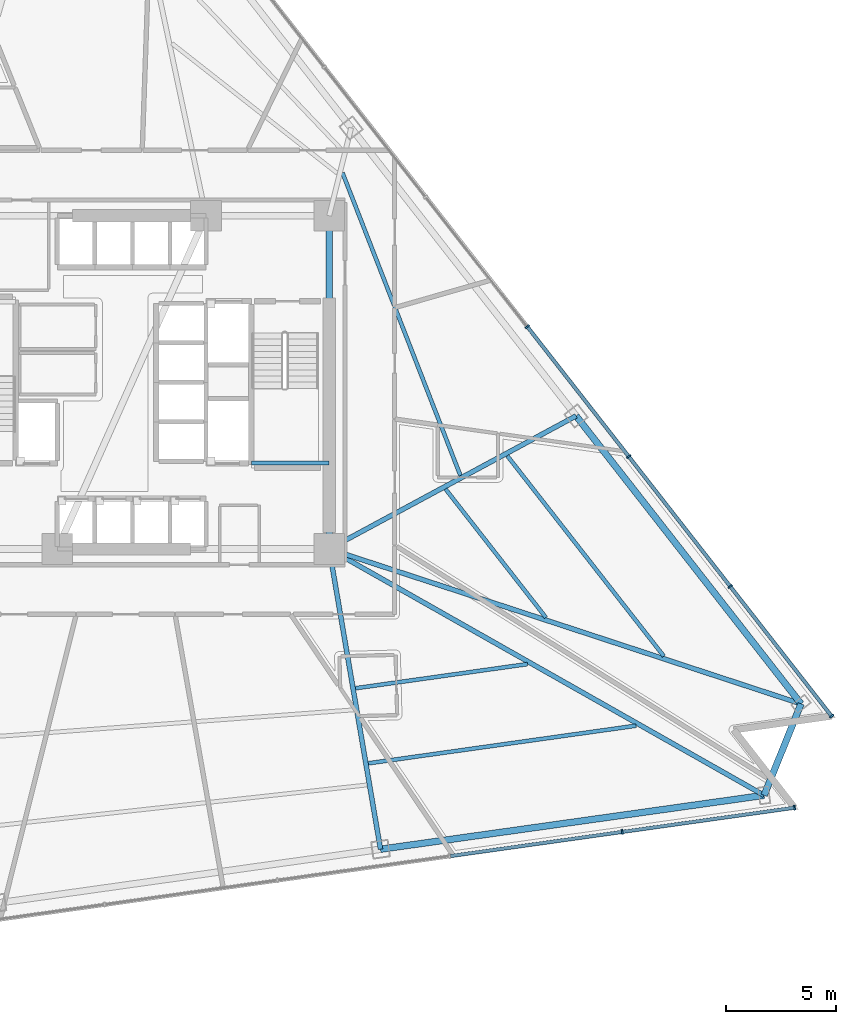
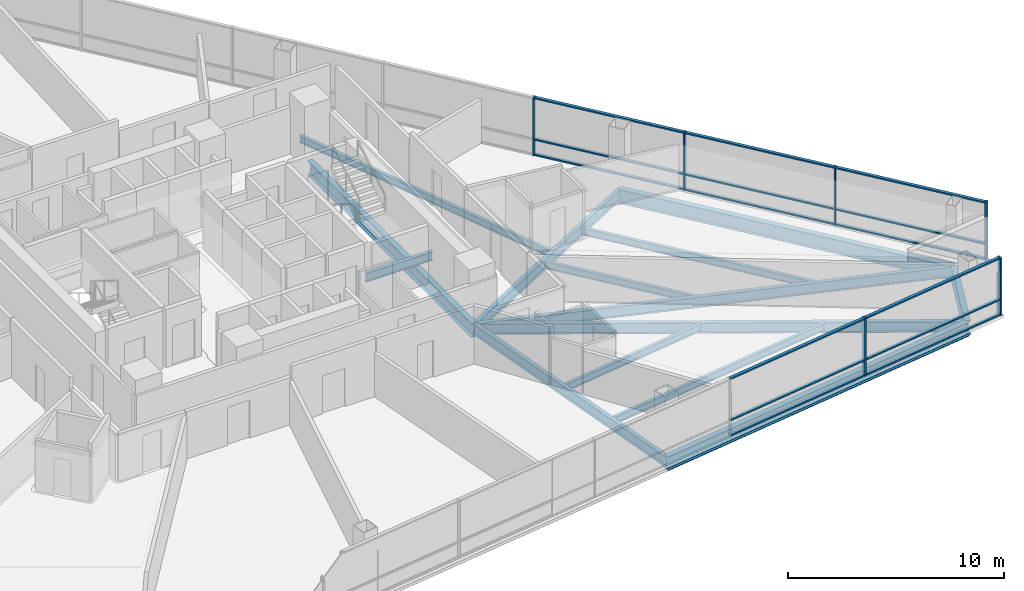
# One storey, part 4 of 15: 21 members, 14 beams, 2 elements without a shape of their own.
"""IFC4 building model written with IfcOpenShell, lengths in metres."""

from ifc_helpers import new_model, si_unit, direction, frame, origin, origin_2d, place, context, subcontext, project, spatial, rectangle, i_section, extrude, material, layer, layer_set, material_profile, profile_set, type_object, element, aggregate, save


model = new_model("IFC4")

# Units and contexts
model_context = context("Model", 3, precision=1e-05, world=origin(), true_north=direction((0.0, 1.0)))
body_context = subcontext(model_context, "Body", "Model", "MODEL_VIEW")
ifc_project = project(units=[si_unit("LENGTHUNIT", "METRE"), si_unit("AREAUNIT", "SQUARE_METRE"), si_unit("VOLUMEUNIT", "CUBIC_METRE"), si_unit("PLANEANGLEUNIT", "RADIAN"), si_unit("MASSUNIT", "GRAM", prefix="KILO")], contexts=[model_context])

# Site, building, storey
site_placement = place(None, origin())
site = spatial("IfcSite", under=ifc_project, at=site_placement, CompositionType="ELEMENT")
building_placement = place(site_placement, origin())
building = spatial("IfcBuilding", under=site, at=building_placement, Name="Tharavind Bronze Gate", CompositionType="ELEMENT")
storey_placement = place(building_placement, frame((0.0, 0.0, 67.300048828125)))
storey = spatial("IfcBuildingStorey", under=building, at=storey_placement, Name="L16", CompositionType="ELEMENT", Elevation=67.300048828125)

# Curtain wall, members
ifc_material_1 = material(Name="Anodised Bronze Aluminium", Category="aluminium")
ifc_layer = layer(ifc_material_1, 0.219970703125)
ifc_layer_set = layer_set([ifc_layer], Name="Anodised Bronze Aluminium")
curtain_wall_type = type_object("IfcCurtainWallType", Name="UNITISED CURTAIN WALL HOTEL", PredefinedType="USERDEFINED", material=ifc_layer_set)
curtain_wall_1_placement = place(storey_placement, origin())
curtain_wall_1 = element("IfcCurtainWall", 1, at=curtain_wall_1_placement, inside=storey, type_object=curtain_wall_type, Name="L16 unitised curtain wall hotel CW-L16-S2", ObjectType="UNITISED CURTAIN WALL", PredefinedType="USERDEFINED")
member_type_1 = type_object("IfcMemberType", Name="CURTAIN WALL MULLION 80X220", PredefinedType="MULLION", material=ifc_material_1)
member_1_placement = place(storey_placement, frame((22.261474609375, -20.504638671875, 0.0), z_axis=(0.0, 0.0, 1.0), x_axis=(0.990268068742, 0.13917310096, 0.0)))
member_1 = element("IfcMember", 2, at=member_1_placement, type_object=member_type_1, Name="CW-L16-S2 mullion 7", PredefinedType="MULLION", context=body_context, shape_type="SweptSolid", body=[
    extrude(rectangle(XDim=0.080078125, YDim=0.219970703125, at=origin_2d()), origin(), (0.0, 0.0, 1.0), 3.27490234375),
])
member_2_placement = place(storey_placement, frame((30.127685546875, -19.399169921875, 0.0), z_axis=(0.0, 0.0, 1.0), x_axis=(0.990268068742, 0.13917310096, 0.0)))
member_2 = element("IfcMember", 3, at=member_2_placement, type_object=member_type_1, Name="CW-L16-S2 mullion 8", PredefinedType="MULLION", context=body_context, shape_type="SweptSolid", body=[
    extrude(rectangle(XDim=0.080078125, YDim=0.219970703125, at=origin_2d()), origin(), (0.0, 0.0, 1.0), 3.27490234375),
])

curtain_wall_2_placement = place(storey_placement, origin())
curtain_wall_2 = element("IfcCurtainWall", 4, at=curtain_wall_2_placement, inside=storey, type_object=curtain_wall_type, Name="L16 unitised curtain wall hotel CW-L16-S3", ObjectType="UNITISED CURTAIN WALL", PredefinedType="USERDEFINED")
member_3_placement = place(storey_placement, frame((31.8134765625, -15.226806640625, 0.0), z_axis=(0.0, 0.0, 1.0), x_axis=(-0.615661475326, 0.788010753607, 0.0)))
member_3 = element("IfcMember", 5, at=member_3_placement, type_object=member_type_1, Name="CW-L16-S3 mullion 1", PredefinedType="MULLION", context=body_context, shape_type="SweptSolid", body=[
    extrude(rectangle(XDim=0.080078125, YDim=0.219970703125, at=origin_2d()), origin(), (0.0, 0.0, 1.0), 3.27490234375),
])
member_4_placement = place(storey_placement, frame((27.186767578125, -9.3046875, 0.0), z_axis=(0.0, 0.0, 1.0), x_axis=(-0.615661475326, 0.788010753607, 0.0)))
member_4 = element("IfcMember", 6, at=member_4_placement, type_object=member_type_1, Name="CW-L16-S3 mullion 2", PredefinedType="MULLION", context=body_context, shape_type="SweptSolid", body=[
    extrude(rectangle(XDim=0.080078125, YDim=0.219970703125, at=origin_2d()), origin(), (0.0, 0.0, 1.0), 3.27490234375),
])
member_5_placement = place(storey_placement, frame((22.56005859375, -3.3828125, 0.0), z_axis=(0.0, 0.0, 1.0), x_axis=(-0.615661475326, 0.788010753607, 0.0)))
member_5 = element("IfcMember", 7, at=member_5_placement, type_object=member_type_1, Name="CW-L16-S3 mullion 3", PredefinedType="MULLION", context=body_context, shape_type="SweptSolid", body=[
    extrude(rectangle(XDim=0.080078125, YDim=0.219970703125, at=origin_2d()), origin(), (0.0, 0.0, 1.0), 3.27490234375),
])
member_6_placement = place(storey_placement, frame((17.933349609375, 2.5390625, 0.0), z_axis=(0.0, 0.0, 1.0), x_axis=(-0.615661475326, 0.788010753607, 0.0)))
member_6 = element("IfcMember", 8, at=member_6_placement, type_object=member_type_1, Name="CW-L16-S3 mullion 4", PredefinedType="MULLION", context=body_context, shape_type="SweptSolid", body=[
    extrude(rectangle(XDim=0.080078125, YDim=0.219970703125, at=origin_2d()), origin(), (0.0, 0.0, 1.0), 3.27490234375),
])

# Member
member_type_2 = type_object("IfcMemberType", Name="CURTAIN WALL TRANSOM 80X160", PredefinedType="USERDEFINED", material=ifc_material_1)
member_7_placement = place(storey_placement, frame((18.328369140625, -21.057373046875, 0.0), z_axis=(0.0, 0.0, 1.0), x_axis=(0.990268068742, 0.13917310096, 0.0)))
member_7 = element("IfcMember", 9, at=member_7_placement, type_object=member_type_2, Name="CW-L16-S2 transom TB6", ObjectType="TRANSOM", PredefinedType="USERDEFINED", context=body_context, shape_type="SweptSolid", body=[
    extrude(rectangle(XDim=7.87548828125, YDim=0.159912109375, at=origin_2d()), origin(), (0.0, 0.0, 1.0), 0.080078125),
])

member_8_placement = place(storey_placement, frame((18.328369140625, -21.057373046875, 0.85986328125), z_axis=(0.0, 0.0, 1.0), x_axis=(0.990268068742, 0.13917310096, 0.0)))
member_8 = element("IfcMember", 10, at=member_8_placement, type_object=member_type_2, Name="CW-L16-S2 transom TS6", ObjectType="TRANSOM", PredefinedType="USERDEFINED", context=body_context, shape_type="SweptSolid", body=[
    extrude(rectangle(XDim=7.87548828125, YDim=0.159912109375, at=origin_2d()), origin(), (0.0, 0.0, 1.0), 0.080078125),
])

member_9_placement = place(storey_placement, frame((18.328369140625, -21.057373046875, 3.19482421875), z_axis=(0.0, 0.0, 1.0), x_axis=(0.990268068742, 0.13917310096, 0.0)))
member_9 = element("IfcMember", 11, at=member_9_placement, type_object=member_type_2, Name="CW-L16-S2 transom TT6", ObjectType="TRANSOM", PredefinedType="USERDEFINED", context=body_context, shape_type="SweptSolid", body=[
    extrude(rectangle(XDim=7.87548828125, YDim=0.159912109375, at=origin_2d()), origin(), (0.0, 0.0, 1.0), 0.080078125),
])

member_10_placement = place(storey_placement, frame((26.194580078125, -19.951904296875, 0.0), z_axis=(0.0, 0.0, 1.0), x_axis=(0.990268068742, 0.13917310096, 0.0)))
member_10 = element("IfcMember", 12, at=member_10_placement, type_object=member_type_2, Name="CW-L16-S2 transom TB7", ObjectType="TRANSOM", PredefinedType="USERDEFINED", context=body_context, shape_type="SweptSolid", body=[
    extrude(rectangle(XDim=7.87548828125, YDim=0.159912109375, at=origin_2d()), origin(), (0.0, 0.0, 1.0), 0.080078125),
])

member_11_placement = place(storey_placement, frame((26.194580078125, -19.951904296875, 0.85986328125), z_axis=(0.0, 0.0, 1.0), x_axis=(0.990268068742, 0.13917310096, 0.0)))
member_11 = element("IfcMember", 13, at=member_11_placement, type_object=member_type_2, Name="CW-L16-S2 transom TS7", ObjectType="TRANSOM", PredefinedType="USERDEFINED", context=body_context, shape_type="SweptSolid", body=[
    extrude(rectangle(XDim=7.87548828125, YDim=0.159912109375, at=origin_2d()), origin(), (0.0, 0.0, 1.0), 0.080078125),
])

member_12_placement = place(storey_placement, frame((26.194580078125, -19.951904296875, 3.19482421875), z_axis=(0.0, 0.0, 1.0), x_axis=(0.990268068742, 0.13917310096, 0.0)))
member_12 = element("IfcMember", 14, at=member_12_placement, type_object=member_type_2, Name="CW-L16-S2 transom TT7", ObjectType="TRANSOM", PredefinedType="USERDEFINED", context=body_context, shape_type="SweptSolid", body=[
    extrude(rectangle(XDim=7.87548828125, YDim=0.159912109375, at=origin_2d()), origin(), (0.0, 0.0, 1.0), 0.080078125),
])

aggregate(curtain_wall_1, [member_1, member_2, member_7, member_8, member_9, member_10, member_11, member_12])

member_13_placement = place(storey_placement, frame((29.5, -12.265869140625, 0.0), z_axis=(0.0, 0.0, 1.0), x_axis=(-0.615661475326, 0.788010753607, 0.0)))
member_13 = element("IfcMember", 15, at=member_13_placement, type_object=member_type_2, Name="CW-L16-S3 transom TB1", ObjectType="TRANSOM", PredefinedType="USERDEFINED", context=body_context, shape_type="SweptSolid", body=[
    extrude(rectangle(XDim=7.447021484375, YDim=0.159912109375, at=origin_2d()), origin(), (0.0, 0.0, 1.0), 0.080078125),
])

member_14_placement = place(storey_placement, frame((29.5, -12.265869140625, 0.85986328125), z_axis=(0.0, 0.0, 1.0), x_axis=(-0.615661475326, 0.788010753607, 0.0)))
member_14 = element("IfcMember", 16, at=member_14_placement, type_object=member_type_2, Name="CW-L16-S3 transom TS1", ObjectType="TRANSOM", PredefinedType="USERDEFINED", context=body_context, shape_type="SweptSolid", body=[
    extrude(rectangle(XDim=7.447021484375, YDim=0.159912109375, at=origin_2d()), origin(), (0.0, 0.0, 1.0), 0.080078125),
])

member_15_placement = place(storey_placement, frame((29.5, -12.265869140625, 3.19482421875), z_axis=(0.0, 0.0, 1.0), x_axis=(-0.615661475326, 0.788010753607, 0.0)))
member_15 = element("IfcMember", 17, at=member_15_placement, type_object=member_type_2, Name="CW-L16-S3 transom TT1", ObjectType="TRANSOM", PredefinedType="USERDEFINED", context=body_context, shape_type="SweptSolid", body=[
    extrude(rectangle(XDim=7.447021484375, YDim=0.159912109375, at=origin_2d()), origin(), (0.0, 0.0, 1.0), 0.080078125),
])

member_16_placement = place(storey_placement, frame((24.873291015625, -6.343994140625, 0.0), z_axis=(0.0, 0.0, 1.0), x_axis=(-0.615661475326, 0.788010753607, 0.0)))
member_16 = element("IfcMember", 18, at=member_16_placement, type_object=member_type_2, Name="CW-L16-S3 transom TB2", ObjectType="TRANSOM", PredefinedType="USERDEFINED", context=body_context, shape_type="SweptSolid", body=[
    extrude(rectangle(XDim=7.447021484375, YDim=0.159912109375, at=origin_2d()), origin(), (0.0, 0.0, 1.0), 0.080078125),
])

member_17_placement = place(storey_placement, frame((24.873291015625, -6.343994140625, 0.85986328125), z_axis=(0.0, 0.0, 1.0), x_axis=(-0.615661475326, 0.788010753607, 0.0)))
member_17 = element("IfcMember", 19, at=member_17_placement, type_object=member_type_2, Name="CW-L16-S3 transom TS2", ObjectType="TRANSOM", PredefinedType="USERDEFINED", context=body_context, shape_type="SweptSolid", body=[
    extrude(rectangle(XDim=7.447021484375, YDim=0.159912109375, at=origin_2d()), origin(), (0.0, 0.0, 1.0), 0.080078125),
])

member_18_placement = place(storey_placement, frame((24.873291015625, -6.343994140625, 3.19482421875), z_axis=(0.0, 0.0, 1.0), x_axis=(-0.615661475326, 0.788010753607, 0.0)))
member_18 = element("IfcMember", 20, at=member_18_placement, type_object=member_type_2, Name="CW-L16-S3 transom TT2", ObjectType="TRANSOM", PredefinedType="USERDEFINED", context=body_context, shape_type="SweptSolid", body=[
    extrude(rectangle(XDim=7.447021484375, YDim=0.159912109375, at=origin_2d()), origin(), (0.0, 0.0, 1.0), 0.080078125),
])

member_19_placement = place(storey_placement, frame((20.24658203125, -0.421875, 0.0), z_axis=(0.0, 0.0, 1.0), x_axis=(-0.615661475326, 0.788010753607, 0.0)))
member_19 = element("IfcMember", 21, at=member_19_placement, type_object=member_type_2, Name="CW-L16-S3 transom TB3", ObjectType="TRANSOM", PredefinedType="USERDEFINED", context=body_context, shape_type="SweptSolid", body=[
    extrude(rectangle(XDim=7.447021484375, YDim=0.159912109375, at=origin_2d()), origin(), (0.0, 0.0, 1.0), 0.080078125),
])

member_20_placement = place(storey_placement, frame((20.24658203125, -0.421875, 0.85986328125), z_axis=(0.0, 0.0, 1.0), x_axis=(-0.615661475326, 0.788010753607, 0.0)))
member_20 = element("IfcMember", 22, at=member_20_placement, type_object=member_type_2, Name="CW-L16-S3 transom TS3", ObjectType="TRANSOM", PredefinedType="USERDEFINED", context=body_context, shape_type="SweptSolid", body=[
    extrude(rectangle(XDim=7.447021484375, YDim=0.159912109375, at=origin_2d()), origin(), (0.0, 0.0, 1.0), 0.080078125),
])

member_21_placement = place(storey_placement, frame((20.24658203125, -0.421875, 3.19482421875), z_axis=(0.0, 0.0, 1.0), x_axis=(-0.615661475326, 0.788010753607, 0.0)))
member_21 = element("IfcMember", 23, at=member_21_placement, type_object=member_type_2, Name="CW-L16-S3 transom TT3", ObjectType="TRANSOM", PredefinedType="USERDEFINED", context=body_context, shape_type="SweptSolid", body=[
    extrude(rectangle(XDim=7.447021484375, YDim=0.159912109375, at=origin_2d()), origin(), (0.0, 0.0, 1.0), 0.080078125),
])

aggregate(curtain_wall_2, [member_3, member_4, member_5, member_6, member_13, member_14, member_15, member_16, member_17, member_18, member_19, member_20, member_21])

# Beams
ifc_material_2 = material(Name="Steel S355", Category="steel")
ifc_material_profile_1 = material_profile(ifc_material_2, i_section(OverallWidth=0.199951171875, OverallDepth=0.5, WebThickness=0.01025390625, FlangeThickness=0.01611328125, at=origin_2d()), Name="IPE500")
ifc_profile_set_1 = profile_set([ifc_material_profile_1], Name="Steel S355")
beam_type_1 = type_object("IfcBeamType", Name="PRIMARY GIRDER IPE500", PredefinedType="USERDEFINED", material=ifc_profile_set_1)
beam_1_placement = place(storey_placement, frame((5.35009765625, -3.679931640625, 1.27490234375), z_axis=(1.0, 0.0, 0.0), x_axis=(0.0, 1.0, 0.0)))
element("IfcBeam", 24, at=beam_1_placement, inside=storey, type_object=beam_type_1, Name="L16 primary girder ipe500 BM-LD-ST2-L16-1", ObjectType="GIRDER", PredefinedType="USERDEFINED", context=body_context, shape_type="SweptSolid", body=[
    extrude(i_section(OverallWidth=0.199951171875, OverallDepth=0.5, WebThickness=0.01025390625, FlangeThickness=0.01611328125, at=origin_2d()), origin(), (0.0, 0.0, 1.0), 3.5498046875),
])
ifc_material_profile_2 = material_profile(ifc_material_2, i_section(OverallWidth=0.219970703125, OverallDepth=0.60009765625, WebThickness=0.011962890625, FlangeThickness=0.01904296875, at=origin_2d()), Name="IPE600")
ifc_profile_set_2 = profile_set([ifc_material_profile_2], Name="Steel S355")
beam_type_2 = type_object("IfcBeamType", Name="PRIMARY GIRDER IPE600", PredefinedType="USERDEFINED", material=ifc_profile_set_2)
beam_2_placement = place(storey_placement, frame((11.23974609375, -21.29638671875, -0.47509765625), z_axis=(-0.168398067653, 0.985719072967, 0.0), x_axis=(-0.985719072967, -0.168398067653, 0.0)))
element("IfcBeam", 25, at=beam_2_placement, inside=storey, type_object=beam_type_2, Name="L16 primary girder ipe600 BM-L16-RAD07", ObjectType="GIRDER", PredefinedType="USERDEFINED", context=body_context, shape_type="SweptSolid", body=[
    extrude(i_section(OverallWidth=0.219970703125, OverallDepth=0.60009765625, WebThickness=0.011962890625, FlangeThickness=0.01904296875, at=origin_2d()), origin(), (0.0, 0.0, 1.0), 13.894775390625),
])
beam_3_placement = place(storey_placement, frame((28.737060546875, -18.837158203125, -0.47509765625), z_axis=(-0.870097351351, 0.492879903396, 0.0), x_axis=(-0.492879903396, -0.870097351351, 0.0)))
element("IfcBeam", 26, at=beam_3_placement, inside=storey, type_object=beam_type_2, Name="L16 primary girder ipe600 BM-L16-RAD08", ObjectType="GIRDER", PredefinedType="USERDEFINED", context=body_context, shape_type="SweptSolid", body=[
    extrude(i_section(OverallWidth=0.219970703125, OverallDepth=0.60009765625, WebThickness=0.011962890625, FlangeThickness=0.01904296875, at=origin_2d()), origin(), (0.0, 0.0, 1.0), 22.798828125),
])
beam_4_placement = place(storey_placement, frame((30.422607421875, -14.664794921875, -0.47509765625), z_axis=(-0.950123985447, 0.311872429494, 0.0), x_axis=(-0.311872429494, -0.950123985447, 0.0)))
element("IfcBeam", 27, at=beam_4_placement, inside=storey, type_object=beam_type_2, Name="L16 primary girder ipe600 BM-L16-RAD09", ObjectType="GIRDER", PredefinedType="USERDEFINED", context=body_context, shape_type="SweptSolid", body=[
    extrude(i_section(OverallWidth=0.219970703125, OverallDepth=0.60009765625, WebThickness=0.011962890625, FlangeThickness=0.01904296875, at=origin_2d()), origin(), (0.0, 0.0, 1.0), 22.652587890625),
])
beam_5_placement = place(storey_placement, frame((20.16015625, -1.529296875, -0.47509765625), z_axis=(-0.880223404357, -0.474559541493, 0.0), x_axis=(0.474559541493, -0.880223404357, 0.0)))
element("IfcBeam", 28, at=beam_5_placement, inside=storey, type_object=beam_type_2, Name="L16 primary girder ipe600 BM-L16-RAD10", ObjectType="GIRDER", PredefinedType="USERDEFINED", context=body_context, shape_type="SweptSolid", body=[
    extrude(i_section(OverallWidth=0.219970703125, OverallDepth=0.60009765625, WebThickness=0.011962890625, FlangeThickness=0.01904296875, at=origin_2d()), origin(), (0.0, 0.0, 1.0), 12.79248046875),
])
ifc_material_profile_3 = material_profile(ifc_material_2, i_section(OverallWidth=0.300048828125, OverallDepth=0.800048828125, WebThickness=0.017578125, FlangeThickness=0.032958984375, at=origin_2d()), Name="HE800B")
ifc_profile_set_3 = profile_set([ifc_material_profile_3], Name="Steel S355")
beam_type_3 = type_object("IfcBeamType", Name="RING GIRDER HE800B", PredefinedType="USERDEFINED", material=ifc_profile_set_3)
beam_6_placement = place(storey_placement, frame((8.89990234375, -7.60009765625, -0.574951171875), z_axis=(0.0, 1.0, 0.0), x_axis=(-1.0, 0.0, 0.0)))
element("IfcBeam", 29, at=beam_6_placement, inside=storey, type_object=beam_type_3, Name="L16 ring girder he800b BM-L16-CR3", ObjectType="GIRDER", PredefinedType="USERDEFINED", context=body_context, shape_type="SweptSolid", body=[
    extrude(i_section(OverallWidth=0.300048828125, OverallDepth=0.800048828125, WebThickness=0.017578125, FlangeThickness=0.032958984375, at=origin_2d()), origin(), (0.0, 0.0, 1.0), 15.2001953125),
])
beam_7_placement = place(storey_placement, frame((11.23974609375, -21.29638671875, -0.574951171875), z_axis=(0.990266966294, 0.13918094506, 0.0), x_axis=(-0.13918094506, 0.990266966294, 0.0)))
element("IfcBeam", 30, at=beam_7_placement, inside=storey, type_object=beam_type_3, Name="L16 ring girder he800b BM-L16-PRG07", ObjectType="GIRDER", PredefinedType="USERDEFINED", context=body_context, shape_type="SweptSolid", body=[
    extrude(i_section(OverallWidth=0.300048828125, OverallDepth=0.800048828125, WebThickness=0.017578125, FlangeThickness=0.032958984375, at=origin_2d()), origin(), (0.0, 0.0, 1.0), 17.669189453125),
])
beam_8_placement = place(storey_placement, frame((28.737060546875, -18.837158203125, -0.574951171875), z_axis=(0.374568898324, 0.927199083481, 0.0), x_axis=(-0.927199083481, 0.374568898324, 0.0)))
element("IfcBeam", 31, at=beam_8_placement, inside=storey, type_object=beam_type_3, Name="L16 ring girder he800b BM-L16-PRG08", ObjectType="GIRDER", PredefinedType="USERDEFINED", context=body_context, shape_type="SweptSolid", body=[
    extrude(i_section(OverallWidth=0.300048828125, OverallDepth=0.800048828125, WebThickness=0.017578125, FlangeThickness=0.032958984375, at=origin_2d()), origin(), (0.0, 0.0, 1.0), 4.5),
])
beam_9_placement = place(storey_placement, frame((30.422607421875, -14.664794921875, -0.574951171875), z_axis=(-0.61565683186, 0.788014381458, 0.0), x_axis=(-0.788014381458, -0.61565683186, 0.0)))
element("IfcBeam", 32, at=beam_9_placement, inside=storey, type_object=beam_type_3, Name="L16 ring girder he800b BM-L16-PRG09", ObjectType="GIRDER", PredefinedType="USERDEFINED", context=body_context, shape_type="SweptSolid", body=[
    extrude(i_section(OverallWidth=0.300048828125, OverallDepth=0.800048828125, WebThickness=0.017578125, FlangeThickness=0.032958984375, at=origin_2d()), origin(), (0.0, 0.0, 1.0), 16.669189453125),
])
ifc_material_profile_4 = material_profile(ifc_material_2, i_section(OverallWidth=0.179931640625, OverallDepth=0.39990234375, WebThickness=0.008544921875, FlangeThickness=0.013427734375, at=origin_2d()), Name="IPE400")
ifc_profile_set_4 = profile_set([ifc_material_profile_4], Name="Steel S355")
beam_type_4 = type_object("IfcBeamType", Name="SECONDARY FLOOR JOIST IPE400", PredefinedType="JOIST", material=ifc_profile_set_4)
beam_10_placement = place(storey_placement, frame((10.100830078125, -13.952880859375, -0.375), z_axis=(0.990270061331, 0.13915892221, 0.0), x_axis=(-0.13915892221, 0.990270061331, 0.0)))
element("IfcBeam", 33, at=beam_10_placement, inside=storey, type_object=beam_type_4, Name="L16 secondary floor joist ipe400 BM-L16-JSTA07", PredefinedType="JOIST", context=body_context, shape_type="SweptSolid", body=[
    extrude(i_section(OverallWidth=0.179931640625, OverallDepth=0.39990234375, WebThickness=0.008544921875, FlangeThickness=0.013427734375, at=origin_2d()), origin(), (0.0, 0.0, 1.0), 7.917724609375),
])
beam_11_placement = place(storey_placement, frame((10.685791015625, -17.376953125, -0.375), z_axis=(0.990269539088, 0.139162638498, 0.0), x_axis=(-0.139162638498, 0.990269539088, 0.0)))
element("IfcBeam", 34, at=beam_11_placement, inside=storey, type_object=beam_type_4, Name="L16 secondary floor joist ipe400 BM-L16-JSTB07", PredefinedType="JOIST", context=body_context, shape_type="SweptSolid", body=[
    extrude(i_section(OverallWidth=0.179931640625, OverallDepth=0.39990234375, WebThickness=0.008544921875, FlangeThickness=0.013427734375, at=origin_2d()), origin(), (0.0, 0.0, 1.0), 12.3349609375),
])
beam_12_placement = place(storey_placement, frame((18.783935546875, -10.726318359375, -0.375), z_axis=(-0.615658063003, 0.788013419593, 0.0), x_axis=(-0.788013419593, -0.615658063003, 0.0)))
element("IfcBeam", 35, at=beam_12_placement, inside=storey, type_object=beam_type_4, Name="L16 secondary floor joist ipe400 BM-L16-JSTA09", PredefinedType="JOIST", context=body_context, shape_type="SweptSolid", body=[
    extrude(i_section(OverallWidth=0.179931640625, OverallDepth=0.39990234375, WebThickness=0.008544921875, FlangeThickness=0.013427734375, at=origin_2d()), origin(), (0.0, 0.0, 1.0), 7.433837890625),
])
beam_13_placement = place(storey_placement, frame((24.16455078125, -12.492431640625, -0.375), z_axis=(-0.61565833532, 0.788013206838, 0.0), x_axis=(-0.788013206838, -0.61565833532, 0.0)))
element("IfcBeam", 36, at=beam_13_placement, inside=storey, type_object=beam_type_4, Name="L16 secondary floor joist ipe400 BM-L16-JSTB09", PredefinedType="JOIST", context=body_context, shape_type="SweptSolid", body=[
    extrude(i_section(OverallWidth=0.179931640625, OverallDepth=0.39990234375, WebThickness=0.008544921875, FlangeThickness=0.013427734375, at=origin_2d()), origin(), (0.0, 0.0, 1.0), 11.60107421875),
])
beam_14_placement = place(storey_placement, frame((14.882568359375, -4.2451171875, -0.375), z_axis=(-0.362958255352, 0.931805400753, 0.0), x_axis=(-0.931805400753, -0.362958255352, 0.0)))
element("IfcBeam", 37, at=beam_14_placement, inside=storey, type_object=beam_type_4, Name="L16 secondary floor joist ipe400 BM-L16-JSTA10", PredefinedType="JOIST", context=body_context, shape_type="SweptSolid", body=[
    extrude(i_section(OverallWidth=0.179931640625, OverallDepth=0.39990234375, WebThickness=0.008544921875, FlangeThickness=0.013427734375, at=origin_2d()), origin(), (0.0, 0.0, 1.0), 14.817626953125),
])

save(model, "model.ifc")
